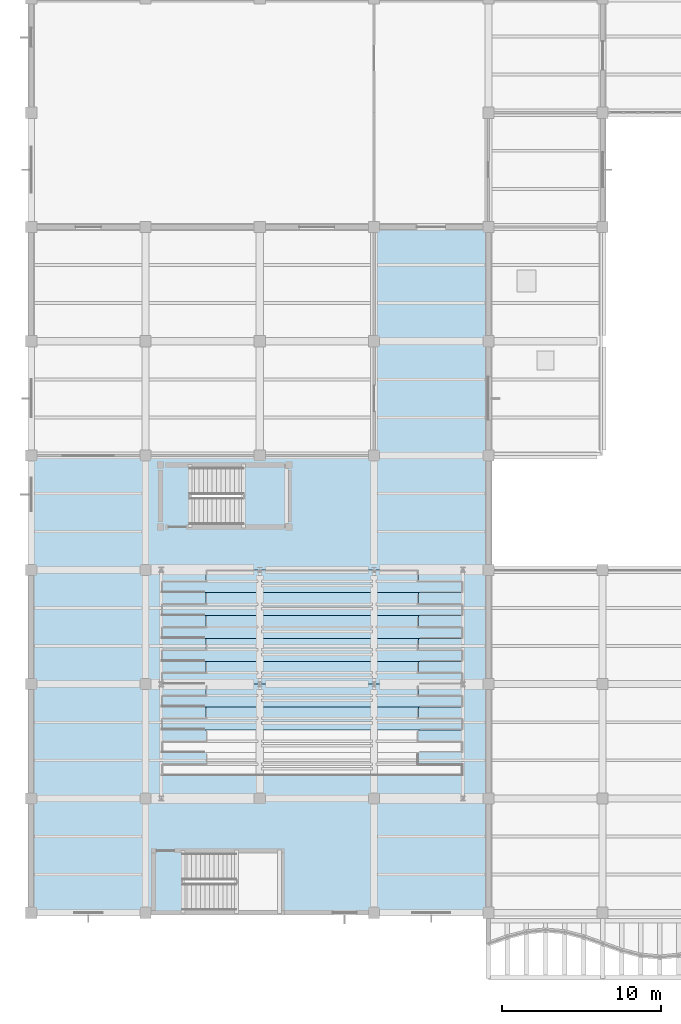
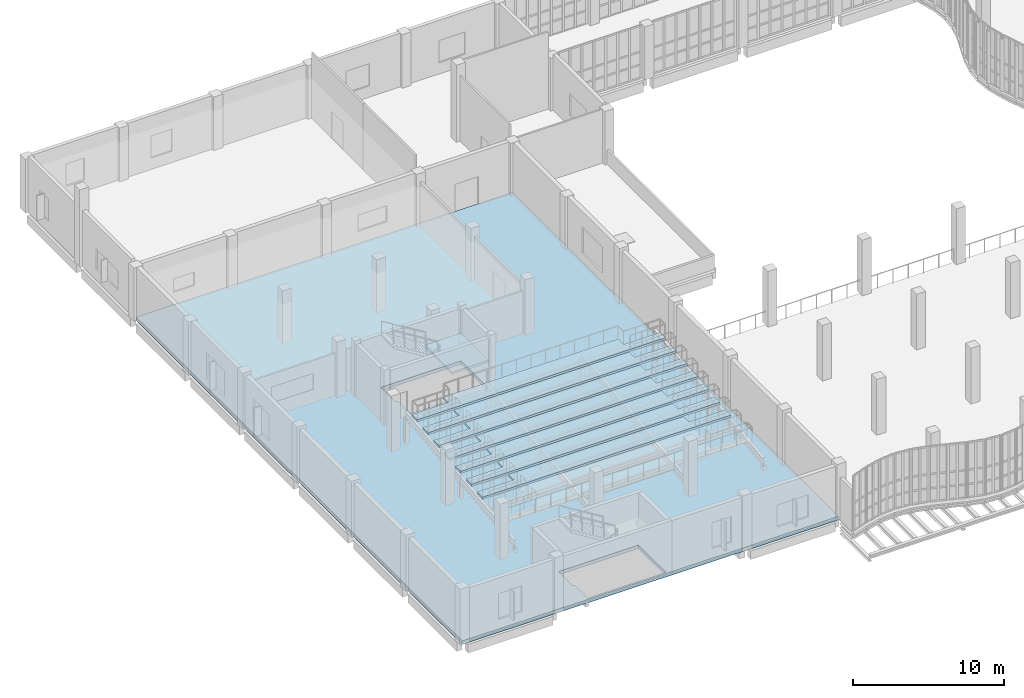
# One storey, part 67 of 108: 9 slabs, 1 element without a shape of its own.
"""IFC4 building model written with IfcOpenShell, lengths in metres."""

from ifc_helpers import new_model, si_unit, direction, frame, origin, place, context, subcontext, project, spatial, polyline, outline, extrude, material, layer, layer_set, type_object, element, aggregate, save


model = new_model("IFC4")

# Units and contexts
model_context = context("Model", 3, precision=1e-05, world=origin(), true_north=direction((0.0, 1.0)))
body_context = subcontext(model_context, "Body", "Model", "MODEL_VIEW")
ifc_project = project(units=[si_unit("LENGTHUNIT", "METRE"), si_unit("AREAUNIT", "SQUARE_METRE"), si_unit("VOLUMEUNIT", "CUBIC_METRE"), si_unit("PLANEANGLEUNIT", "RADIAN"), si_unit("MASSUNIT", "GRAM", prefix="KILO"), si_unit("THERMODYNAMICTEMPERATUREUNIT", "KELVIN"), si_unit("POWERUNIT", "WATT")], contexts=[model_context])

# Site, building, storey
site_placement = place(None, origin())
site = spatial("IfcSite", under=ifc_project, at=site_placement, CompositionType="ELEMENT")
building_placement = place(site_placement, origin())
building = spatial("IfcBuilding", under=site, at=building_placement, Name="Kaldorven Railside Theatre", CompositionType="ELEMENT")
storey_placement = place(building_placement, frame((0.0, 0.0, 5.39990234375)))
storey = spatial("IfcBuildingStorey", under=building, at=storey_placement, Name="L01", CompositionType="ELEMENT", Elevation=5.39990234375)

# Slab
ifc_material = material(Name="Concrete C35/45", Category="concrete")
ifc_layer_1 = layer(ifc_material, 0.280029296875, Name="Concrete C35/45")
ifc_layer_set_1 = layer_set([ifc_layer_1], Name="Concrete C35/45")
slab_type_1 = type_object("IfcSlabType", Name="SLB-FSL-280", PredefinedType="FLOOR", material=ifc_layer_set_1)
slab_1_placement = place(storey_placement, frame((0.0, 0.0, -0.27978515625)))
element("IfcSlab", 1, at=slab_1_placement, inside=storey, type_object=slab_type_1, Name="L01 Floor Slab SL-L01-V3", PredefinedType="FLOOR", context=body_context, shape_type="SweptSolid", body=[
    extrude(outline(polyline([(8.0, 19.199951171875), (36.800048828125, 19.199951171875), (36.800048828125, 62.39990234375), (8.0, 62.39990234375), (8.0, 19.199951171875)]), holes=[polyline([(17.550048828125, 22.949951171875), (23.64990234375, 22.949951171875), (23.64990234375, 19.35009765625), (17.699951171875, 19.35009765625), (17.699951171875, 21.070068359375), (17.550048828125, 21.070068359375), (17.550048828125, 22.949951171875)]), polyline([(18.0, 47.25), (24.10009765625, 47.25), (24.10009765625, 43.64990234375), (18.14990234375, 43.64990234375), (18.14990234375, 45.3701171875), (18.0, 45.3701171875), (18.0, 47.25)])]), origin(), (0.0, 0.0, 1.0), 0.27978515625),
])

# Stair, slab
stair_type = type_object("IfcStairType", Name="STR-DL-03", PredefinedType="HALF_TURN_STAIR", material=ifc_material)
stair_placement = place(storey_placement, origin())
stair = element("IfcStair", 2, at=stair_placement, inside=storey, type_object=stair_type, Name="L01 Core C-NW Escape Stair ST-02", PredefinedType="HALF_TURN_STAIR")
ifc_layer_2 = layer(ifc_material, 0.199951171875, Name="Concrete C35/45")
ifc_layer_set_2 = layer_set([ifc_layer_2], Name="Concrete C35/45")
slab_type_2 = type_object("IfcSlabType", Name="SLB-LSL-200", PredefinedType="LANDING", material=ifc_layer_set_2)
slab_2_placement = place(storey_placement, frame((0.0, 0.0, 2.050048828125)))
slab_2 = element("IfcSlab", 3, at=slab_2_placement, type_object=slab_type_2, Name="ST-02 landing 1", PredefinedType="LANDING", context=body_context, shape_type="SweptSolid", body=[
    extrude(outline(polyline([(21.3349609375, 43.6201171875), (24.1298828125, 43.6201171875), (24.1298828125, 47.280029296875), (21.3349609375, 47.280029296875), (21.3349609375, 43.6201171875)])), origin(), (0.0, 0.0, 1.0), 0.199951171875),
])
aggregate(stair, [slab_2])

# Slabs
ifc_layer_3 = layer(ifc_material, 0.179931640625, Name="Concrete C35/45")
ifc_layer_set_3 = layer_set([ifc_layer_3], Name="Concrete C35/45")
slab_type_3 = type_object("IfcSlabType", Name="SLB-TIER-180", PredefinedType="USERDEFINED", material=ifc_layer_set_3)
slab_3_placement = place(storey_placement, frame((0.0, 0.0, 1.580078125)))
element("IfcSlab", 4, at=slab_3_placement, inside=storey, type_object=slab_type_3, Name="V3S Seating Tier 04", ObjectType="SEATING TIER", PredefinedType="USERDEFINED", context=body_context, shape_type="SweptSolid", body=[
    extrude(outline(polyline([(16.199951171875, 30.719970703125), (35.199951171875, 30.719970703125), (35.199951171875, 31.43994140625), (32.39990234375, 31.43994140625), (32.39990234375, 32.159912109375), (19.0, 32.159912109375), (19.0, 31.43994140625), (16.199951171875, 31.43994140625), (16.199951171875, 30.719970703125)])), origin(), (0.0, 0.0, 1.0), 0.179931640625),
])
slab_4_placement = place(storey_placement, frame((0.0, 0.0, 1.75)))
element("IfcSlab", 5, at=slab_4_placement, inside=storey, type_object=slab_type_3, Name="V3S Seating Tier 05", ObjectType="SEATING TIER", PredefinedType="USERDEFINED", context=body_context, shape_type="SweptSolid", body=[
    extrude(outline(polyline([(16.199951171875, 32.159912109375), (35.199951171875, 32.159912109375), (35.199951171875, 32.8798828125), (32.39990234375, 32.8798828125), (32.39990234375, 33.60009765625), (19.0, 33.60009765625), (19.0, 32.8798828125), (16.199951171875, 32.8798828125), (16.199951171875, 32.159912109375)])), origin(), (0.0, 0.0, 1.0), 0.18017578125),
])
slab_5_placement = place(storey_placement, frame((0.0, 0.0, 1.920166015625)))
element("IfcSlab", 6, at=slab_5_placement, inside=storey, type_object=slab_type_3, Name="V3S Seating Tier 06", ObjectType="SEATING TIER", PredefinedType="USERDEFINED", context=body_context, shape_type="SweptSolid", body=[
    extrude(outline(polyline([(16.199951171875, 33.60009765625), (35.199951171875, 33.60009765625), (35.199951171875, 34.320068359375), (32.39990234375, 34.320068359375), (32.39990234375, 35.0400390625), (19.0, 35.0400390625), (19.0, 34.320068359375), (16.199951171875, 34.320068359375), (16.199951171875, 33.60009765625)])), origin(), (0.0, 0.0, 1.0), 0.179931640625),
])
slab_6_placement = place(storey_placement, frame((0.0, 0.0, 2.090087890625)))
element("IfcSlab", 7, at=slab_6_placement, inside=storey, type_object=slab_type_3, Name="V3S Seating Tier 07", ObjectType="SEATING TIER", PredefinedType="USERDEFINED", context=body_context, shape_type="SweptSolid", body=[
    extrude(outline(polyline([(16.199951171875, 35.0400390625), (35.199951171875, 35.0400390625), (35.199951171875, 35.760009765625), (32.39990234375, 35.760009765625), (32.39990234375, 36.47998046875), (19.0, 36.47998046875), (19.0, 35.760009765625), (16.199951171875, 35.760009765625), (16.199951171875, 35.0400390625)])), origin(), (0.0, 0.0, 1.0), 0.179931640625),
])
slab_7_placement = place(storey_placement, frame((0.0, 0.0, 2.260009765625)))
element("IfcSlab", 8, at=slab_7_placement, inside=storey, type_object=slab_type_3, Name="V3S Seating Tier 08", ObjectType="SEATING TIER", PredefinedType="USERDEFINED", context=body_context, shape_type="SweptSolid", body=[
    extrude(outline(polyline([(16.199951171875, 36.47998046875), (35.199951171875, 36.47998046875), (35.199951171875, 37.199951171875), (32.39990234375, 37.199951171875), (32.39990234375, 37.919921875), (19.0, 37.919921875), (19.0, 37.199951171875), (16.199951171875, 37.199951171875), (16.199951171875, 36.47998046875)])), origin(), (0.0, 0.0, 1.0), 0.18017578125),
])
slab_8_placement = place(storey_placement, frame((0.0, 0.0, 2.43017578125)))
element("IfcSlab", 9, at=slab_8_placement, inside=storey, type_object=slab_type_3, Name="V3S Seating Tier 09", ObjectType="SEATING TIER", PredefinedType="USERDEFINED", context=body_context, shape_type="SweptSolid", body=[
    extrude(outline(polyline([(16.199951171875, 37.919921875), (35.199951171875, 37.919921875), (35.199951171875, 38.639892578125), (32.39990234375, 38.639892578125), (32.39990234375, 39.360107421875), (19.0, 39.360107421875), (19.0, 38.639892578125), (16.199951171875, 38.639892578125), (16.199951171875, 37.919921875)])), origin(), (0.0, 0.0, 1.0), 0.179931640625),
])
slab_9_placement = place(storey_placement, frame((0.0, 0.0, 2.60009765625)))
element("IfcSlab", 10, at=slab_9_placement, inside=storey, type_object=slab_type_3, Name="V3S Seating Tier 10", ObjectType="SEATING TIER", PredefinedType="USERDEFINED", context=body_context, shape_type="SweptSolid", body=[
    extrude(outline(polyline([(16.199951171875, 39.360107421875), (35.199951171875, 39.360107421875), (35.199951171875, 40.080078125), (32.39990234375, 40.080078125), (32.39990234375, 40.800048828125), (19.0, 40.800048828125), (19.0, 40.080078125), (16.199951171875, 40.080078125), (16.199951171875, 39.360107421875)])), origin(), (0.0, 0.0, 1.0), 0.179931640625),
])

save(model, "model.ifc")
